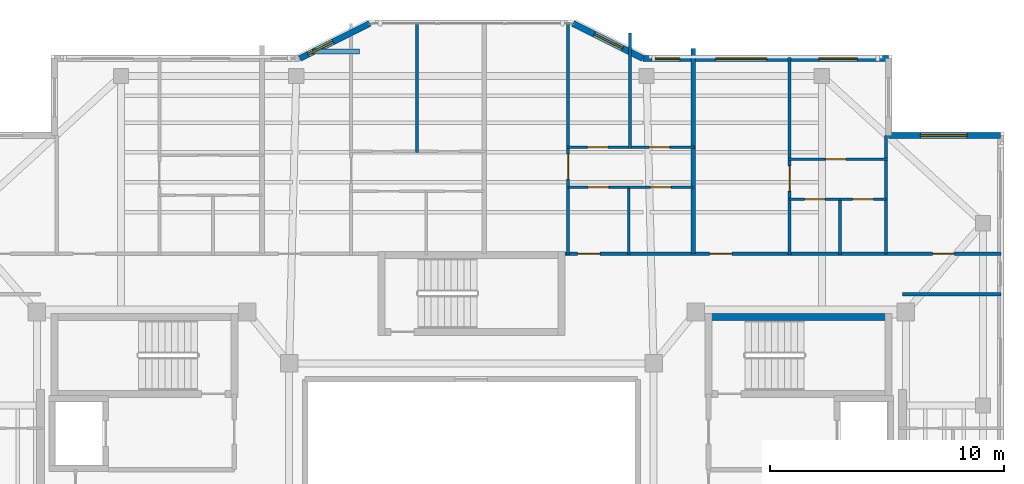
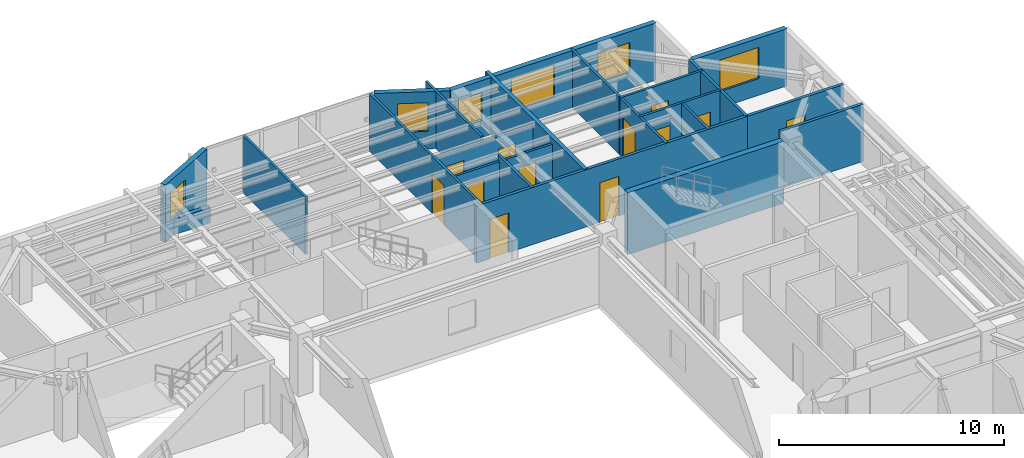
# One storey, part 11 of 15: 23 walls, 12 doors, 6 windows, 18 openings.
"""IFC4 building model written with IfcOpenShell, lengths in metres."""

from ifc_helpers import new_model, si_unit, direction, frame, frame_2d, origin, place, context, subcontext, project, spatial, rectangle, extrude, material, layer, layer_set, type_object, element, fill, save


model = new_model("IFC4")

# Units and contexts
model_context = context("Model", 3, precision=1e-05, world=origin(), true_north=direction((0.0, 1.0)))
body_context = subcontext(model_context, "Body", "Model", "MODEL_VIEW")
ifc_project = project(units=[si_unit("LENGTHUNIT", "METRE"), si_unit("AREAUNIT", "SQUARE_METRE"), si_unit("VOLUMEUNIT", "CUBIC_METRE"), si_unit("PLANEANGLEUNIT", "RADIAN"), si_unit("MASSUNIT", "GRAM", prefix="KILO")], contexts=[model_context])

# Site, building, storey
site_placement = place(None, origin())
site = spatial("IfcSite", under=ifc_project, at=site_placement, CompositionType="ELEMENT")
building_placement = place(site_placement, origin())
building = spatial("IfcBuilding", under=site, at=building_placement, Name="Tarnavaz Court Tower", CompositionType="ELEMENT")
storey_placement = place(building_placement, frame((0.0, 0.0, 241.5)))
storey = spatial("IfcBuildingStorey", under=building, at=storey_placement, Name="L65", CompositionType="ELEMENT", Elevation=241.5)

# Wall
ifc_material_1 = material(Name="Concrete C50/60", Category="concrete")
ifc_layer_1 = layer(ifc_material_1, 0.300048828125)
ifc_layer_set_1 = layer_set([ifc_layer_1], Name="Concrete C50/60")
wall_type_1 = type_object("IfcWallType", Name="WL-CORE-300-C50", PredefinedType="SHEAR", material=ifc_layer_set_1)
wall_1_placement = place(storey_placement, frame((10.0, 9.7900390625, 0.0), z_axis=(0.0, 0.0, 1.0), x_axis=(1.0, 0.0, 0.0)))
element("IfcWall", 1, at=wall_1_placement, inside=storey, type_object=wall_type_1, Name="L65 East Stair Core Wall 005", PredefinedType="SHEAR", context=body_context, shape_type="SweptSolid", body=[
    extrude(rectangle(XDim=8.0, YDim=0.300048828125, at=frame_2d((4.0, 0.0))), origin(), (0.0, 0.0, 1.0), 3.35009765625),
])

# Wall, opening, window
ifc_material_2 = material(Name="Precast Concrete C40/50", Category="concrete")
ifc_layer_2 = layer(ifc_material_2, 0.260009765625)
ifc_layer_set_2 = layer_set([ifc_layer_2], Name="Precast Concrete C40/50")
wall_type_2 = type_object("IfcWallType", Name="WL-EXT-260", PredefinedType="SOLIDWALL", material=ifc_layer_set_2)
wall_2_placement = place(storey_placement, frame((-7.35009765625, 20.85009765625, 0.0), z_axis=(0.0, 0.0, 1.0), x_axis=(0.894427191, 0.4472135955, 0.0)))
wall_2 = element("IfcWall", 2, at=wall_2_placement, inside=storey, type_object=wall_type_2, Name="L65 Exterior Terracotta Facade Wall 06", PredefinedType="SOLIDWALL", context=body_context, shape_type="SweptSolid", body=[
    extrude(rectangle(XDim=3.35400390625, YDim=0.260009765625, at=frame_2d((1.677001953125, 0.0))), origin(), (0.0, 0.0, 1.0), 3.10009765625),
])
opening_1_placement = place(wall_2_placement, frame((0.401123046875, 0.0, 0.949951171875)))
opening_1 = element("IfcOpeningElement", 3, at=opening_1_placement, cuts=wall_2, Name="Opening W05", PredefinedType="OPENING", context=body_context, shape_type="SweptSolid", body=[
    extrude(rectangle(XDim=1.199951171875, YDim=1.5, at=frame_2d((0.60009765625, 0.75))), frame((0.0, 0.139892578125, 0.0), z_axis=(0.0, -1.0, 0.0), x_axis=(1.0, 0.0, 0.0)), (0.0, 0.0, 1.0), 0.280029296875),
])
ifc_material_3 = material(Name="Double-Glazed Solar Low-E Glass", Category="glass")
window_type_1 = type_object("IfcWindowType", Name="WN-APT-1200", PartitioningType="SINGLE_PANEL", PredefinedType="WINDOW", material=ifc_material_3)
window_1_placement = place(opening_1_placement, origin())
window_1 = element("IfcWindow", 4, at=window_1_placement, inside=storey, type_object=window_type_1, Name="L65 Flat 02 Living and Dining Room Window", OverallHeight=1.5, OverallWidth=1.199951171875, PartitioningType="SINGLE_PANEL", PredefinedType="WINDOW", context=body_context, shape_type="SweptSolid", body=[
    extrude(rectangle(XDim=1.199951171875, YDim=1.5, at=frame_2d((0.60009765625, 0.75))), frame((0.0, 0.030029296875, 0.0), z_axis=(0.0, -1.0, 0.0), x_axis=(1.0, 0.0, 0.0)), (0.0, 0.0, 1.0), 0.06005859375),
])
fill(opening_1, window_1)

wall_3_placement = place(storey_placement, frame((4.35009765625, 22.35009765625, 0.0), z_axis=(0.0, 0.0, 1.0), x_axis=(0.894427191, -0.4472135955, 0.0)))
wall_3 = element("IfcWall", 5, at=wall_3_placement, inside=storey, type_object=wall_type_2, Name="L65 Exterior Terracotta Facade Wall 08", PredefinedType="SOLIDWALL", context=body_context, shape_type="SweptSolid", body=[
    extrude(rectangle(XDim=3.35400390625, YDim=0.260009765625, at=frame_2d((1.677001953125, 0.0))), origin(), (0.0, 0.0, 1.0), 3.10009765625),
])
opening_2_placement = place(wall_3_placement, frame((1.027099609375, 0.0, 0.949951171875)))
opening_2 = element("IfcOpeningElement", 6, at=opening_2_placement, cuts=wall_3, Name="Opening W04", PredefinedType="OPENING", context=body_context, shape_type="SweptSolid", body=[
    extrude(rectangle(XDim=1.35009765625, YDim=1.550048828125, at=frame_2d((0.675048828125, 0.77490234375))), frame((0.0, 0.139892578125, 0.0), z_axis=(0.0, -1.0, 0.0), x_axis=(1.0, 0.0, 0.0)), (0.0, 0.0, 1.0), 0.280029296875),
])
window_type_2 = type_object("IfcWindowType", Name="WN-APT-1350", PartitioningType="SINGLE_PANEL", PredefinedType="WINDOW", material=ifc_material_3)
window_2_placement = place(opening_2_placement, origin())
window_2 = element("IfcWindow", 7, at=window_2_placement, inside=storey, type_object=window_type_2, Name="L65 Flat 03 Principal Bedroom Window", OverallHeight=1.550048828125, OverallWidth=1.35009765625, PartitioningType="SINGLE_PANEL", PredefinedType="WINDOW", context=body_context, shape_type="SweptSolid", body=[
    extrude(rectangle(XDim=1.35009765625, YDim=1.550048828125, at=frame_2d((0.675048828125, 0.77490234375))), frame((0.0, 0.030029296875, 0.0), z_axis=(0.0, -1.0, 0.0), x_axis=(1.0, 0.0, 0.0)), (0.0, 0.0, 1.0), 0.06005859375),
])
fill(opening_2, window_2)

# Wall, openings, windows
wall_4_placement = place(storey_placement, frame((7.35009765625, 20.85009765625, 0.0), z_axis=(0.0, 0.0, 1.0), x_axis=(1.0, 0.0, 0.0)))
wall_4 = element("IfcWall", 8, at=wall_4_placement, inside=storey, type_object=wall_type_2, Name="L65 Exterior Terracotta Facade Wall 09", PredefinedType="SOLIDWALL", context=body_context, shape_type="SweptSolid", body=[
    extrude(rectangle(XDim=10.5, YDim=0.260009765625, at=frame_2d((5.25, 0.0))), origin(), (0.0, 0.0, 1.0), 3.10009765625),
])
opening_3_placement = place(wall_4_placement, frame((0.3720703125, 0.0, 0.949951171875)))
opening_3 = element("IfcOpeningElement", 9, at=opening_3_placement, cuts=wall_4, Name="Opening W05", PredefinedType="OPENING", context=body_context, shape_type="SweptSolid", body=[
    extrude(rectangle(XDim=1.199951171875, YDim=1.5, at=frame_2d((0.60009765625, 0.75))), frame((0.0, 0.139892578125, 0.0), z_axis=(0.0, -1.0, 0.0), x_axis=(1.0, 0.0, 0.0)), (0.0, 0.0, 1.0), 0.280029296875),
])
opening_4_placement = place(wall_4_placement, frame((3.10009765625, 0.0, 0.89990234375)))
opening_4 = element("IfcOpeningElement", 10, at=opening_4_placement, cuts=wall_4, Name="Opening W07", PredefinedType="OPENING", context=body_context, shape_type="SweptSolid", body=[
    extrude(rectangle(XDim=2.199951171875, YDim=1.75, at=frame_2d((1.10009765625, 0.875))), frame((0.0, 0.139892578125, 0.0), z_axis=(0.0, -1.0, 0.0), x_axis=(1.0, 0.0, 0.0)), (0.0, 0.0, 1.0), 0.280029296875),
])
opening_5_placement = place(wall_4_placement, frame((7.52490234375, 0.0, 0.89990234375)))
opening_5 = element("IfcOpeningElement", 11, at=opening_5_placement, cuts=wall_4, Name="Opening W02", PredefinedType="OPENING", context=body_context, shape_type="SweptSolid", body=[
    extrude(rectangle(XDim=1.64990234375, YDim=1.60009765625, at=frame_2d((0.824951171875, 0.800048828125))), frame((0.0, 0.139892578125, 0.0), z_axis=(0.0, -1.0, 0.0), x_axis=(1.0, 0.0, 0.0)), (0.0, 0.0, 1.0), 0.280029296875),
])
window_3_placement = place(opening_3_placement, origin())
window_3 = element("IfcWindow", 12, at=window_3_placement, inside=storey, type_object=window_type_1, Name="L65 Flat 03 Bedroom 2 Window", OverallHeight=1.5, OverallWidth=1.199951171875, PartitioningType="SINGLE_PANEL", PredefinedType="WINDOW", context=body_context, shape_type="SweptSolid", body=[
    extrude(rectangle(XDim=1.199951171875, YDim=1.5, at=frame_2d((0.60009765625, 0.75))), frame((0.0, 0.030029296875, 0.0), z_axis=(0.0, -1.0, 0.0), x_axis=(1.0, 0.0, 0.0)), (0.0, 0.0, 1.0), 0.06005859375),
])
fill(opening_3, window_3)
window_type_3 = type_object("IfcWindowType", Name="WN-APT-1650", PartitioningType="DOUBLE_PANEL_VERTICAL", PredefinedType="WINDOW", material=ifc_material_3)
window_4_placement = place(opening_5_placement, origin())
window_4 = element("IfcWindow", 13, at=window_4_placement, inside=storey, type_object=window_type_3, Name="L65 Flat 04 Bedroom 1 Window", OverallHeight=1.60009765625, OverallWidth=1.64990234375, PartitioningType="SINGLE_PANEL", PredefinedType="WINDOW", context=body_context, shape_type="SweptSolid", body=[
    extrude(rectangle(XDim=1.64990234375, YDim=1.60009765625, at=frame_2d((0.824951171875, 0.800048828125))), frame((0.0, 0.030029296875, 0.0), z_axis=(0.0, -1.0, 0.0), x_axis=(1.0, 0.0, 0.0)), (0.0, 0.0, 1.0), 0.06005859375),
])
fill(opening_5, window_4)
window_type_4 = type_object("IfcWindowType", Name="WN-APT-2200", PartitioningType="TRIPLE_PANEL_VERTICAL", PredefinedType="WINDOW", material=ifc_material_3)
window_5_placement = place(opening_4_placement, origin())
window_5 = element("IfcWindow", 14, at=window_5_placement, inside=storey, type_object=window_type_4, Name="L65 Flat 04 Living and Dining Room Window", OverallHeight=1.75, OverallWidth=2.199951171875, PartitioningType="SINGLE_PANEL", PredefinedType="WINDOW", context=body_context, shape_type="SweptSolid", body=[
    extrude(rectangle(XDim=2.199951171875, YDim=1.75, at=frame_2d((1.10009765625, 0.875))), frame((0.0, 0.030029296875, 0.0), z_axis=(0.0, -1.0, 0.0), x_axis=(1.0, 0.0, 0.0)), (0.0, 0.0, 1.0), 0.06005859375),
])
fill(opening_4, window_5)

# Wall, opening, window
wall_5_placement = place(storey_placement, frame((17.85009765625, 17.550048828125, 0.0), z_axis=(0.0, 0.0, 1.0), x_axis=(1.0, 0.0, 0.0)))
wall_5 = element("IfcWall", 15, at=wall_5_placement, inside=storey, type_object=wall_type_2, Name="L65 Exterior Terracotta Facade Wall 11", PredefinedType="SOLIDWALL", context=body_context, shape_type="SweptSolid", body=[
    extrude(rectangle(XDim=4.7998046875, YDim=0.260009765625, at=frame_2d((2.39990234375, 0.0))), origin(), (0.0, 0.0, 1.0), 3.10009765625),
])
opening_6_placement = place(wall_5_placement, frame((1.374755859375, 0.0, 0.89990234375)))
opening_6 = element("IfcOpeningElement", 16, at=opening_6_placement, cuts=wall_5, Name="Opening W08", PredefinedType="OPENING", context=body_context, shape_type="SweptSolid", body=[
    extrude(rectangle(XDim=2.0, YDim=1.699951171875, at=frame_2d((1.0, 0.85009765625))), frame((0.0, 0.139892578125, 0.0), z_axis=(0.0, -1.0, 0.0), x_axis=(1.0, 0.0, 0.0)), (0.0, 0.0, 1.0), 0.280029296875),
])
window_type_5 = type_object("IfcWindowType", Name="WN-APT-2000", PartitioningType="DOUBLE_PANEL_VERTICAL", PredefinedType="WINDOW", material=ifc_material_3)
window_6_placement = place(opening_6_placement, origin())
window_6 = element("IfcWindow", 17, at=window_6_placement, inside=storey, type_object=window_type_5, Name="L65 North-East Corner Sunroom Study Window", OverallHeight=1.699951171875, OverallWidth=2.0, PartitioningType="SINGLE_PANEL", PredefinedType="WINDOW", context=body_context, shape_type="SweptSolid", body=[
    extrude(rectangle(XDim=2.0, YDim=1.699951171875, at=frame_2d((1.0, 0.85009765625))), frame((0.0, 0.030029296875, 0.0), z_axis=(0.0, -1.0, 0.0), x_axis=(1.0, 0.0, 0.0)), (0.0, 0.0, 1.0), 0.06005859375),
])
fill(opening_6, window_6)

# Wall, openings, doors
ifc_material_4 = material(Name="Gypsum Fire-Board on Acoustic Metal Stud", Category="masonry")
ifc_layer_3 = layer(ifc_material_4, 0.14990234375)
ifc_layer_set_3 = layer_set([ifc_layer_3], Name="Gypsum Fire-Board on Acoustic Metal Stud")
wall_type_3 = type_object("IfcWallType", Name="WL-FIRE-150", PredefinedType="PARTITIONING", material=ifc_layer_set_3)
wall_6_placement = place(storey_placement, frame((3.85009765625, 12.5, 0.0), z_axis=(0.0, 0.0, 1.0), x_axis=(1.0, 0.0, 0.0)))
wall_6 = element("IfcWall", 18, at=wall_6_placement, inside=storey, type_object=wall_type_3, Name="L65 NE Wing Corridor Wall 061", PredefinedType="PARTITIONING", context=body_context, shape_type="SweptSolid", body=[
    extrude(rectangle(XDim=13.89990234375, YDim=0.14990234375, at=frame_2d((6.949951171875, 0.0))), origin(), (0.0, 0.0, 1.0), 3.10009765625),
])
opening_7_placement = place(wall_6_placement, frame((0.699951171875, 0.0, 0.0)))
opening_7 = element("IfcOpeningElement", 19, at=opening_7_placement, cuts=wall_6, Name="Opening D06", PredefinedType="OPENING", context=body_context, shape_type="SweptSolid", body=[
    extrude(rectangle(XDim=0.9599609375, YDim=2.14990234375, at=frame_2d((0.47998046875, 1.074951171875))), frame((0.0, 0.0849609375, 0.0), z_axis=(0.0, -1.0, 0.0), x_axis=(1.0, 0.0, 0.0)), (0.0, 0.0, 1.0), 0.169921875),
])
opening_8_placement = place(wall_6_placement, frame((6.343994140625, 0.0, 0.0)))
opening_8 = element("IfcOpeningElement", 20, at=opening_8_placement, cuts=wall_6, Name="Opening D06", PredefinedType="OPENING", context=body_context, shape_type="SweptSolid", body=[
    extrude(rectangle(XDim=0.9599609375, YDim=2.14990234375, at=frame_2d((0.47998046875, 1.074951171875))), frame((0.0, 0.0849609375, 0.0), z_axis=(0.0, -1.0, 0.0), x_axis=(1.0, 0.0, 0.0)), (0.0, 0.0, 1.0), 0.169921875),
])
ifc_material_5 = material(Name="Fire-Rated Hardwood Timber Core", Category="wood")
door_type_1 = type_object("IfcDoorType", Name="DR-FD60-950", OperationType="NOTDEFINED", PredefinedType="DOOR", material=ifc_material_5)
door_1_placement = place(opening_7_placement, origin())
door_1 = element("IfcDoor", 21, at=door_1_placement, inside=storey, type_object=door_type_1, Name="L65 Flat 03 Entrance Door", OperationType="SINGLE_SWING_LEFT", OverallHeight=2.14990234375, OverallWidth=0.9599609375, PredefinedType="DOOR", context=body_context, shape_type="SweptSolid", body=[
    extrude(rectangle(XDim=0.9599609375, YDim=2.14990234375, at=frame_2d((0.47998046875, 1.074951171875))), frame((0.0, 0.02490234375, 0.0), z_axis=(0.0, -1.0, 0.0), x_axis=(1.0, 0.0, 0.0)), (0.0, 0.0, 1.0), 0.050048828125),
])
fill(opening_7, door_1)
door_2_placement = place(opening_8_placement, origin())
door_2 = element("IfcDoor", 22, at=door_2_placement, inside=storey, type_object=door_type_1, Name="L65 Flat 04 Entrance Door", OperationType="SINGLE_SWING_LEFT", OverallHeight=2.14990234375, OverallWidth=0.9599609375, PredefinedType="DOOR", context=body_context, shape_type="SweptSolid", body=[
    extrude(rectangle(XDim=0.9599609375, YDim=2.14990234375, at=frame_2d((0.47998046875, 1.074951171875))), frame((0.0, 0.02490234375, 0.0), z_axis=(0.0, -1.0, 0.0), x_axis=(1.0, 0.0, 0.0)), (0.0, 0.0, 1.0), 0.050048828125),
])
fill(opening_8, door_2)

# Wall
wall_7_placement = place(storey_placement, frame((18.449951171875, 10.75, 0.0), z_axis=(0.0, 0.0, 1.0), x_axis=(1.0, 0.0, 0.0)))
element("IfcWall", 23, at=wall_7_placement, inside=storey, type_object=wall_type_3, Name="L65 Interior Partition 114", PredefinedType="PARTITIONING", context=body_context, shape_type="SweptSolid", body=[
    extrude(rectangle(XDim=4.22998046875, YDim=0.14990234375, at=frame_2d((2.114990234375, 0.0))), origin(), (0.0, 0.0, 1.0), 3.10009765625),
])

# Wall, opening, door
wall_8_placement = place(storey_placement, frame((17.75, 12.5, 0.0), z_axis=(0.0, 0.0, 1.0), x_axis=(1.0, 0.0, 0.0)))
wall_8 = element("IfcWall", 24, at=wall_8_placement, inside=storey, type_object=wall_type_3, Name="L65 Interior Partition 120", PredefinedType="PARTITIONING", context=body_context, shape_type="SweptSolid", body=[
    extrude(rectangle(XDim=4.929931640625, YDim=0.14990234375, at=frame_2d((2.46484375, 0.0))), origin(), (0.0, 0.0, 1.0), 3.10009765625),
])
opening_9_placement = place(wall_8_placement, frame((1.989990234375, 0.0, 0.0)))
opening_9 = element("IfcOpeningElement", 25, at=opening_9_placement, cuts=wall_8, Name="Opening D13", PredefinedType="OPENING", context=body_context, shape_type="SweptSolid", body=[
    extrude(rectangle(XDim=0.949951171875, YDim=2.14990234375, at=frame_2d((0.47509765625, 1.074951171875))), frame((0.0, 0.0849609375, 0.0), z_axis=(0.0, -1.0, 0.0), x_axis=(1.0, 0.0, 0.0)), (0.0, 0.0, 1.0), 0.169921875),
])
ifc_material_6 = material(Name="Engineered Oak Timber", Category="wood")
door_type_2 = type_object("IfcDoorType", Name="DR-INT-950", OperationType="NOTDEFINED", PredefinedType="DOOR", material=ifc_material_6)
door_3_placement = place(opening_9_placement, origin())
door_3 = element("IfcDoor", 26, at=door_3_placement, inside=storey, type_object=door_type_2, Name="L65 NE Sunroom Door", OperationType="SINGLE_SWING_RIGHT", OverallHeight=2.14990234375, OverallWidth=0.949951171875, PredefinedType="DOOR", context=body_context, shape_type="SweptSolid", body=[
    extrude(rectangle(XDim=0.949951171875, YDim=2.14990234375, at=frame_2d((0.47509765625, 1.074951171875))), frame((0.0, 0.02490234375, 0.0), z_axis=(0.0, -1.0, 0.0), x_axis=(1.0, 0.0, 0.0)), (0.0, 0.0, 1.0), 0.050048828125),
])
fill(opening_9, door_3)

# Walls
ifc_material_7 = material(Name="Autoclaved Aerated Concrete Blockwork", Category="masonry")
ifc_layer_4 = layer(ifc_material_7, 0.199951171875)
ifc_layer_set_4 = layer_set([ifc_layer_4], Name="Autoclaved Aerated Concrete Blockwork")
wall_type_4 = type_object("IfcWallType", Name="WL-FIRE-200", PredefinedType="SOLIDWALL", material=ifc_layer_set_4)
wall_9_placement = place(storey_placement, frame((9.493896484375, 12.5, 0.0), z_axis=(0.0, 0.0, 1.0), x_axis=(0.0, 1.0, 0.0)))
element("IfcWall", 27, at=wall_9_placement, inside=storey, type_object=wall_type_4, Name="L65 Party Wall 077", PredefinedType="SOLIDWALL", context=body_context, shape_type="SweptSolid", body=[
    extrude(rectangle(XDim=8.77099609375, YDim=0.199951171875, at=frame_2d((4.385498046875, 0.0))), origin(), (0.0, 0.0, 1.0), 3.10009765625),
])
ifc_layer_5 = layer(ifc_material_2, 0.219970703125)
ifc_layer_set_5 = layer_set([ifc_layer_5], Name="Precast Concrete C40/50")
wall_type_5 = type_object("IfcWallType", Name="WL-PARAPET-220", PredefinedType="PARAPET", material=ifc_layer_set_5)
wall_10_placement = place(storey_placement, frame((-6.800048828125, 21.14990234375, 0.0), z_axis=(0.0, 0.0, 1.0), x_axis=(1.0, 0.0, 0.0)))
element("IfcWall", 28, at=wall_10_placement, inside=storey, type_object=wall_type_5, Name="L65 North Prow Terracotta Parapet Upstand", PredefinedType="PARAPET", context=body_context, shape_type="SweptSolid", body=[
    extrude(rectangle(XDim=2.0, YDim=0.219970703125, at=frame_2d((1.0, 0.0))), origin(), (0.0, 0.0, 1.0), 0.85009765625),
])
ifc_material_8 = material(Name="Moisture-Resistant Gypsum Board Partition", Category="masonry")
ifc_layer_6 = layer(ifc_material_8, 0.1201171875)
ifc_layer_set_6 = layer_set([ifc_layer_6], Name="Moisture-Resistant Gypsum Board Partition")
wall_type_6 = type_object("IfcWallType", Name="WL-PART-120", PredefinedType="PARTITIONING", material=ifc_layer_set_6)
wall_11_placement = place(storey_placement, frame((-2.3291015625, 16.820068359375, 0.0), z_axis=(0.0, 0.0, 1.0), x_axis=(0.0, 1.0, 0.0)))
element("IfcWall", 29, at=wall_11_placement, inside=storey, type_object=wall_type_6, Name="L65 Interior Partition 076", PredefinedType="PARTITIONING", context=body_context, shape_type="SweptSolid", body=[
    extrude(rectangle(XDim=5.559814453125, YDim=0.1201171875, at=frame_2d((2.77978515625, 0.0))), origin(), (0.0, 0.0, 1.0), 3.10009765625),
])

# Wall, opening, door
wall_12_placement = place(storey_placement, frame((4.139892578125, 12.43994140625, 0.0), z_axis=(0.0, 0.0, 1.0), x_axis=(0.0, 1.0, 0.0)))
wall_12 = element("IfcWall", 30, at=wall_12_placement, inside=storey, type_object=wall_type_6, Name="L65 Interior Partition 078", PredefinedType="PARTITIONING", context=body_context, shape_type="SweptSolid", body=[
    extrude(rectangle(XDim=9.93994140625, YDim=0.1201171875, at=frame_2d((4.969970703125, 0.0))), origin(), (0.0, 0.0, 1.0), 3.10009765625),
])
opening_10_placement = place(wall_12_placement, frame((3.2451171875, 0.0, 0.0)))
opening_10 = element("IfcOpeningElement", 31, at=opening_10_placement, cuts=wall_12, Name="Opening D12", PredefinedType="OPENING", context=body_context, shape_type="SweptSolid", body=[
    extrude(rectangle(XDim=1.080078125, YDim=2.14990234375, at=frame_2d((0.5400390625, 1.074951171875))), frame((0.0, 0.070068359375, 0.0), z_axis=(0.0, -1.0, 0.0), x_axis=(1.0, 0.0, 0.0)), (0.0, 0.0, 1.0), 0.14013671875),
])
door_type_3 = type_object("IfcDoorType", Name="DR-INT-1100", OperationType="NOTDEFINED", PredefinedType="DOOR", material=ifc_material_6)
door_4_placement = place(opening_10_placement, origin())
door_4 = element("IfcDoor", 32, at=door_4_placement, inside=storey, type_object=door_type_3, Name="L65 Flat 03 Foyer Door", OperationType="SINGLE_SWING_RIGHT", OverallHeight=2.14990234375, OverallWidth=1.080078125, PredefinedType="DOOR", context=body_context, shape_type="SweptSolid", body=[
    extrude(rectangle(XDim=1.080078125, YDim=2.14990234375, at=frame_2d((0.5400390625, 1.074951171875))), frame((0.0, 0.02490234375, 0.0), z_axis=(0.0, -1.0, 0.0), x_axis=(1.0, 0.0, 0.0)), (0.0, 0.0, 1.0), 0.050048828125),
])
fill(opening_10, door_4)

wall_13_placement = place(storey_placement, frame((4.139892578125, 15.340087890625, 0.0), z_axis=(0.0, 0.0, 1.0), x_axis=(1.0, 0.0, 0.0)))
wall_13 = element("IfcWall", 33, at=wall_13_placement, inside=storey, type_object=wall_type_6, Name="L65 Interior Partition 079", PredefinedType="PARTITIONING", context=body_context, shape_type="SweptSolid", body=[
    extrude(rectangle(XDim=2.593994140625, YDim=0.1201171875, at=frame_2d((1.296875, 0.0))), origin(), (0.0, 0.0, 1.0), 2.784912109375),
])
opening_11_placement = place(wall_13_placement, frame((0.85693359375, 0.0, 0.0)))
opening_11 = element("IfcOpeningElement", 34, at=opening_11_placement, cuts=wall_13, Name="Opening D14", PredefinedType="OPENING", context=body_context, shape_type="SweptSolid", body=[
    extrude(rectangle(XDim=0.8798828125, YDim=2.10009765625, at=frame_2d((0.43994140625, 1.050048828125))), frame((0.0, 0.070068359375, 0.0), z_axis=(0.0, -1.0, 0.0), x_axis=(1.0, 0.0, 0.0)), (0.0, 0.0, 1.0), 0.14013671875),
])
door_type_4 = type_object("IfcDoorType", Name="DR-INT-900", OperationType="NOTDEFINED", PredefinedType="DOOR", material=ifc_material_6)
door_5_placement = place(opening_11_placement, origin())
door_5 = element("IfcDoor", 35, at=door_5_placement, inside=storey, type_object=door_type_4, Name="L65 Flat 03 Kitchen Door", OperationType="SINGLE_SWING_LEFT", OverallHeight=2.10009765625, OverallWidth=0.8798828125, PredefinedType="DOOR", context=body_context, shape_type="SweptSolid", body=[
    extrude(rectangle(XDim=0.8798828125, YDim=2.10009765625, at=frame_2d((0.43994140625, 1.050048828125))), frame((0.0, 0.02490234375, 0.0), z_axis=(0.0, -1.0, 0.0), x_axis=(1.0, 0.0, 0.0)), (0.0, 0.0, 1.0), 0.050048828125),
])
fill(opening_11, door_5)

wall_14_placement = place(storey_placement, frame((6.73388671875, 15.340087890625, 0.0), z_axis=(0.0, 0.0, 1.0), x_axis=(1.0, 0.0, 0.0)))
wall_14 = element("IfcWall", 36, at=wall_14_placement, inside=storey, type_object=wall_type_6, Name="L65 Interior Partition 080", PredefinedType="PARTITIONING", context=body_context, shape_type="SweptSolid", body=[
    extrude(rectangle(XDim=2.760009765625, YDim=0.1201171875, at=frame_2d((1.3798828125, 0.0))), origin(), (0.0, 0.0, 1.0), 2.784912109375),
])
opening_12_placement = place(wall_14_placement, frame((0.93994140625, 0.0, 0.0)))
opening_12 = element("IfcOpeningElement", 37, at=opening_12_placement, cuts=wall_14, Name="Opening D14", PredefinedType="OPENING", context=body_context, shape_type="SweptSolid", body=[
    extrude(rectangle(XDim=0.8798828125, YDim=2.10009765625, at=frame_2d((0.43994140625, 1.050048828125))), frame((0.0, 0.070068359375, 0.0), z_axis=(0.0, -1.0, 0.0), x_axis=(1.0, 0.0, 0.0)), (0.0, 0.0, 1.0), 0.14013671875),
])
door_6_placement = place(opening_12_placement, origin())
door_6 = element("IfcDoor", 38, at=door_6_placement, inside=storey, type_object=door_type_4, Name="L65 Flat 03 Bathroom Door", OperationType="SINGLE_SWING_RIGHT", OverallHeight=2.10009765625, OverallWidth=0.8798828125, PredefinedType="DOOR", context=body_context, shape_type="SweptSolid", body=[
    extrude(rectangle(XDim=0.8798828125, YDim=2.10009765625, at=frame_2d((0.43994140625, 1.050048828125))), frame((0.0, 0.02490234375, 0.0), z_axis=(0.0, -1.0, 0.0), x_axis=(1.0, 0.0, 0.0)), (0.0, 0.0, 1.0), 0.050048828125),
])
fill(opening_12, door_6)

# Wall, openings, doors
wall_15_placement = place(storey_placement, frame((4.080078125, 17.050048828125, 0.0), z_axis=(0.0, 0.0, 1.0), x_axis=(1.0, 0.0, 0.0)))
wall_15 = element("IfcWall", 39, at=wall_15_placement, inside=storey, type_object=wall_type_6, Name="L65 Interior Partition 081", PredefinedType="PARTITIONING", context=body_context, shape_type="SweptSolid", body=[
    extrude(rectangle(XDim=5.473876953125, YDim=0.1201171875, at=frame_2d((2.73681640625, 0.0))), origin(), (0.0, 0.0, 1.0), 2.784912109375),
])
opening_13_placement = place(wall_15_placement, frame((0.883056640625, 0.0, 0.0)))
opening_13 = element("IfcOpeningElement", 40, at=opening_13_placement, cuts=wall_15, Name="Opening D14", PredefinedType="OPENING", context=body_context, shape_type="SweptSolid", body=[
    extrude(rectangle(XDim=0.8798828125, YDim=2.10009765625, at=frame_2d((0.43994140625, 1.050048828125))), frame((0.0, 0.070068359375, 0.0), z_axis=(0.0, -1.0, 0.0), x_axis=(1.0, 0.0, 0.0)), (0.0, 0.0, 1.0), 0.14013671875),
])
opening_14_placement = place(wall_15_placement, frame((3.530029296875, 0.0, 0.0)))
opening_14 = element("IfcOpeningElement", 41, at=opening_14_placement, cuts=wall_15, Name="Opening D14", PredefinedType="OPENING", context=body_context, shape_type="SweptSolid", body=[
    extrude(rectangle(XDim=0.8798828125, YDim=2.10009765625, at=frame_2d((0.43994140625, 1.050048828125))), frame((0.0, 0.070068359375, 0.0), z_axis=(0.0, -1.0, 0.0), x_axis=(1.0, 0.0, 0.0)), (0.0, 0.0, 1.0), 0.14013671875),
])
door_7_placement = place(opening_13_placement, origin())
door_7 = element("IfcDoor", 42, at=door_7_placement, inside=storey, type_object=door_type_4, Name="L65 Flat 03 Bedroom 1 Door", OperationType="SINGLE_SWING_LEFT", OverallHeight=2.10009765625, OverallWidth=0.8798828125, PredefinedType="DOOR", context=body_context, shape_type="SweptSolid", body=[
    extrude(rectangle(XDim=0.8798828125, YDim=2.10009765625, at=frame_2d((0.43994140625, 1.050048828125))), frame((0.0, 0.02490234375, 0.0), z_axis=(0.0, -1.0, 0.0), x_axis=(1.0, 0.0, 0.0)), (0.0, 0.0, 1.0), 0.050048828125),
])
fill(opening_13, door_7)
door_8_placement = place(opening_14_placement, origin())
door_8 = element("IfcDoor", 43, at=door_8_placement, inside=storey, type_object=door_type_4, Name="L65 Flat 03 Bedroom 2 Door", OperationType="SINGLE_SWING_RIGHT", OverallHeight=2.10009765625, OverallWidth=0.8798828125, PredefinedType="DOOR", context=body_context, shape_type="SweptSolid", body=[
    extrude(rectangle(XDim=0.8798828125, YDim=2.10009765625, at=frame_2d((0.43994140625, 1.050048828125))), frame((0.0, 0.02490234375, 0.0), z_axis=(0.0, -1.0, 0.0), x_axis=(1.0, 0.0, 0.0)), (0.0, 0.0, 1.0), 0.050048828125),
])
fill(opening_14, door_8)

# Walls
wall_16_placement = place(storey_placement, frame((6.73388671875, 12.43994140625, 0.0), z_axis=(0.0, 0.0, 1.0), x_axis=(0.0, 1.0, 0.0)))
element("IfcWall", 44, at=wall_16_placement, inside=storey, type_object=wall_type_6, Name="L65 Interior Partition 082", PredefinedType="PARTITIONING", context=body_context, shape_type="SweptSolid", body=[
    extrude(rectangle(XDim=2.9599609375, YDim=0.1201171875, at=frame_2d((1.47998046875, 0.0))), origin(), (0.0, 0.0, 1.0), 3.10009765625),
])
wall_17_placement = place(storey_placement, frame((6.787109375, 16.989990234375, 0.0), z_axis=(0.0, 0.0, 1.0), x_axis=(0.0, 1.0, 0.0)))
element("IfcWall", 45, at=wall_17_placement, inside=storey, type_object=wall_type_6, Name="L65 Interior Partition 083", PredefinedType="PARTITIONING", context=body_context, shape_type="SweptSolid", body=[
    extrude(rectangle(XDim=4.948974609375, YDim=0.1201171875, at=frame_2d((2.474609375, 0.0))), origin(), (0.0, 0.0, 1.0), 3.10009765625),
])

# Wall, opening, door
wall_18_placement = place(storey_placement, frame((13.6220703125, 12.43994140625, 0.0), z_axis=(0.0, 0.0, 1.0), x_axis=(0.0, 1.0, 0.0)))
wall_18 = element("IfcWall", 46, at=wall_18_placement, inside=storey, type_object=wall_type_6, Name="L65 Interior Partition 084", PredefinedType="PARTITIONING", context=body_context, shape_type="SweptSolid", body=[
    extrude(rectangle(XDim=8.4599609375, YDim=0.1201171875, at=frame_2d((4.22998046875, 0.0))), origin(), (0.0, 0.0, 1.0), 3.10009765625),
])
opening_15_placement = place(wall_18_placement, frame((2.735107421875, 0.0, 0.0)))
opening_15 = element("IfcOpeningElement", 47, at=opening_15_placement, cuts=wall_18, Name="Opening D12", PredefinedType="OPENING", context=body_context, shape_type="SweptSolid", body=[
    extrude(rectangle(XDim=1.080078125, YDim=2.14990234375, at=frame_2d((0.5400390625, 1.074951171875))), frame((0.0, 0.070068359375, 0.0), z_axis=(0.0, -1.0, 0.0), x_axis=(1.0, 0.0, 0.0)), (0.0, 0.0, 1.0), 0.14013671875),
])
door_9_placement = place(opening_15_placement, origin())
door_9 = element("IfcDoor", 48, at=door_9_placement, inside=storey, type_object=door_type_3, Name="L65 Flat 04 Foyer Door", OperationType="SINGLE_SWING_RIGHT", OverallHeight=2.14990234375, OverallWidth=1.080078125, PredefinedType="DOOR", context=body_context, shape_type="SweptSolid", body=[
    extrude(rectangle(XDim=1.080078125, YDim=2.14990234375, at=frame_2d((0.5400390625, 1.074951171875))), frame((0.0, 0.02490234375, 0.0), z_axis=(0.0, -1.0, 0.0), x_axis=(1.0, 0.0, 0.0)), (0.0, 0.0, 1.0), 0.050048828125),
])
fill(opening_15, door_9)

wall_19_placement = place(storey_placement, frame((13.6220703125, 14.830078125, 0.0), z_axis=(0.0, 0.0, 1.0), x_axis=(1.0, 0.0, 0.0)))
wall_19 = element("IfcWall", 49, at=wall_19_placement, inside=storey, type_object=wall_type_6, Name="L65 Interior Partition 085", PredefinedType="PARTITIONING", context=body_context, shape_type="SweptSolid", body=[
    extrude(rectangle(XDim=2.156005859375, YDim=0.1201171875, at=frame_2d((1.078125, 0.0))), origin(), (0.0, 0.0, 1.0), 3.10009765625),
])
opening_16_placement = place(wall_19_placement, frame((0.637939453125, 0.0, 0.0)))
opening_16 = element("IfcOpeningElement", 50, at=opening_16_placement, cuts=wall_19, Name="Opening D14", PredefinedType="OPENING", context=body_context, shape_type="SweptSolid", body=[
    extrude(rectangle(XDim=0.8798828125, YDim=2.10009765625, at=frame_2d((0.43994140625, 1.050048828125))), frame((0.0, 0.070068359375, 0.0), z_axis=(0.0, -1.0, 0.0), x_axis=(1.0, 0.0, 0.0)), (0.0, 0.0, 1.0), 0.14013671875),
])
door_10_placement = place(opening_16_placement, origin())
door_10 = element("IfcDoor", 51, at=door_10_placement, inside=storey, type_object=door_type_4, Name="L65 Flat 04 Kitchen Door", OperationType="SINGLE_SWING_LEFT", OverallHeight=2.10009765625, OverallWidth=0.8798828125, PredefinedType="DOOR", context=body_context, shape_type="SweptSolid", body=[
    extrude(rectangle(XDim=0.8798828125, YDim=2.10009765625, at=frame_2d((0.43994140625, 1.050048828125))), frame((0.0, 0.02490234375, 0.0), z_axis=(0.0, -1.0, 0.0), x_axis=(1.0, 0.0, 0.0)), (0.0, 0.0, 1.0), 0.050048828125),
])
fill(opening_16, door_10)

wall_20_placement = place(storey_placement, frame((15.778076171875, 14.830078125, 0.0), z_axis=(0.0, 0.0, 1.0), x_axis=(1.0, 0.0, 0.0)))
wall_20 = element("IfcWall", 52, at=wall_20_placement, inside=storey, type_object=wall_type_6, Name="L65 Interior Partition 086", PredefinedType="PARTITIONING", context=body_context, shape_type="SweptSolid", body=[
    extrude(rectangle(XDim=1.971923828125, YDim=0.1201171875, at=frame_2d((0.98583984375, 0.0))), origin(), (0.0, 0.0, 1.0), 3.10009765625),
])
opening_17_placement = place(wall_20_placement, frame((0.5458984375, 0.0, 0.0)))
opening_17 = element("IfcOpeningElement", 53, at=opening_17_placement, cuts=wall_20, Name="Opening D14", PredefinedType="OPENING", context=body_context, shape_type="SweptSolid", body=[
    extrude(rectangle(XDim=0.8798828125, YDim=2.10009765625, at=frame_2d((0.43994140625, 1.050048828125))), frame((0.0, 0.070068359375, 0.0), z_axis=(0.0, -1.0, 0.0), x_axis=(1.0, 0.0, 0.0)), (0.0, 0.0, 1.0), 0.14013671875),
])
door_11_placement = place(opening_17_placement, origin())
door_11 = element("IfcDoor", 54, at=door_11_placement, inside=storey, type_object=door_type_4, Name="L65 Flat 04 Bathroom Door", OperationType="SINGLE_SWING_RIGHT", OverallHeight=2.10009765625, OverallWidth=0.8798828125, PredefinedType="DOOR", context=body_context, shape_type="SweptSolid", body=[
    extrude(rectangle(XDim=0.8798828125, YDim=2.10009765625, at=frame_2d((0.43994140625, 1.050048828125))), frame((0.0, 0.02490234375, 0.0), z_axis=(0.0, -1.0, 0.0), x_axis=(1.0, 0.0, 0.0)), (0.0, 0.0, 1.0), 0.050048828125),
])
fill(opening_17, door_11)

wall_21_placement = place(storey_placement, frame((13.56201171875, 16.5400390625, 0.0), z_axis=(0.0, 0.0, 1.0), x_axis=(1.0, 0.0, 0.0)))
wall_21 = element("IfcWall", 55, at=wall_21_placement, inside=storey, type_object=wall_type_6, Name="L65 Interior Partition 087", PredefinedType="PARTITIONING", context=body_context, shape_type="SweptSolid", body=[
    extrude(rectangle(XDim=4.248046875, YDim=0.1201171875, at=frame_2d((2.1240234375, 0.0))), origin(), (0.0, 0.0, 1.0), 3.10009765625),
])
opening_18_placement = place(wall_21_placement, frame((1.593994140625, 0.0, 0.0)))
opening_18 = element("IfcOpeningElement", 56, at=opening_18_placement, cuts=wall_21, Name="Opening D14", PredefinedType="OPENING", context=body_context, shape_type="SweptSolid", body=[
    extrude(rectangle(XDim=0.8798828125, YDim=2.10009765625, at=frame_2d((0.43994140625, 1.050048828125))), frame((0.0, 0.070068359375, 0.0), z_axis=(0.0, -1.0, 0.0), x_axis=(1.0, 0.0, 0.0)), (0.0, 0.0, 1.0), 0.14013671875),
])
door_12_placement = place(opening_18_placement, origin())
door_12 = element("IfcDoor", 57, at=door_12_placement, inside=storey, type_object=door_type_4, Name="L65 Flat 04 Bedroom 1 Door", OperationType="SINGLE_SWING_LEFT", OverallHeight=2.10009765625, OverallWidth=0.8798828125, PredefinedType="DOOR", context=body_context, shape_type="SweptSolid", body=[
    extrude(rectangle(XDim=0.8798828125, YDim=2.10009765625, at=frame_2d((0.43994140625, 1.050048828125))), frame((0.0, 0.02490234375, 0.0), z_axis=(0.0, -1.0, 0.0), x_axis=(1.0, 0.0, 0.0)), (0.0, 0.0, 1.0), 0.050048828125),
])
fill(opening_18, door_12)

# Walls
wall_22_placement = place(storey_placement, frame((15.778076171875, 12.43994140625, 0.0), z_axis=(0.0, 0.0, 1.0), x_axis=(0.0, 1.0, 0.0)))
element("IfcWall", 58, at=wall_22_placement, inside=storey, type_object=wall_type_6, Name="L65 Interior Partition 088", PredefinedType="PARTITIONING", context=body_context, shape_type="SweptSolid", body=[
    extrude(rectangle(XDim=2.449951171875, YDim=0.1201171875, at=frame_2d((1.22509765625, 0.0))), origin(), (0.0, 0.0, 1.0), 3.10009765625),
])
ifc_material_9 = material(Name="Gypsum Plasterboard Acoustic Partition", Category="masonry")
ifc_layer_7 = layer(ifc_material_9, 0.139892578125)
ifc_layer_set_7 = layer_set([ifc_layer_7], Name="Gypsum Plasterboard Acoustic Partition")
wall_type_7 = type_object("IfcWallType", Name="WL-PART-150", PredefinedType="PARTITIONING", material=ifc_layer_set_7)
wall_23_placement = place(storey_placement, frame((17.75, 12.5, 0.0), z_axis=(0.0, 0.0, 1.0), x_axis=(0.0, 1.0, 0.0)))
element("IfcWall", 59, at=wall_23_placement, inside=storey, type_object=wall_type_7, Name="L65 Interior Partition 118", PredefinedType="PARTITIONING", context=body_context, shape_type="SweptSolid", body=[
    extrude(rectangle(XDim=5.050048828125, YDim=0.139892578125, at=frame_2d((2.52490234375, 0.0))), origin(), (0.0, 0.0, 1.0), 3.10009765625),
])

save(model, "model.ifc")
